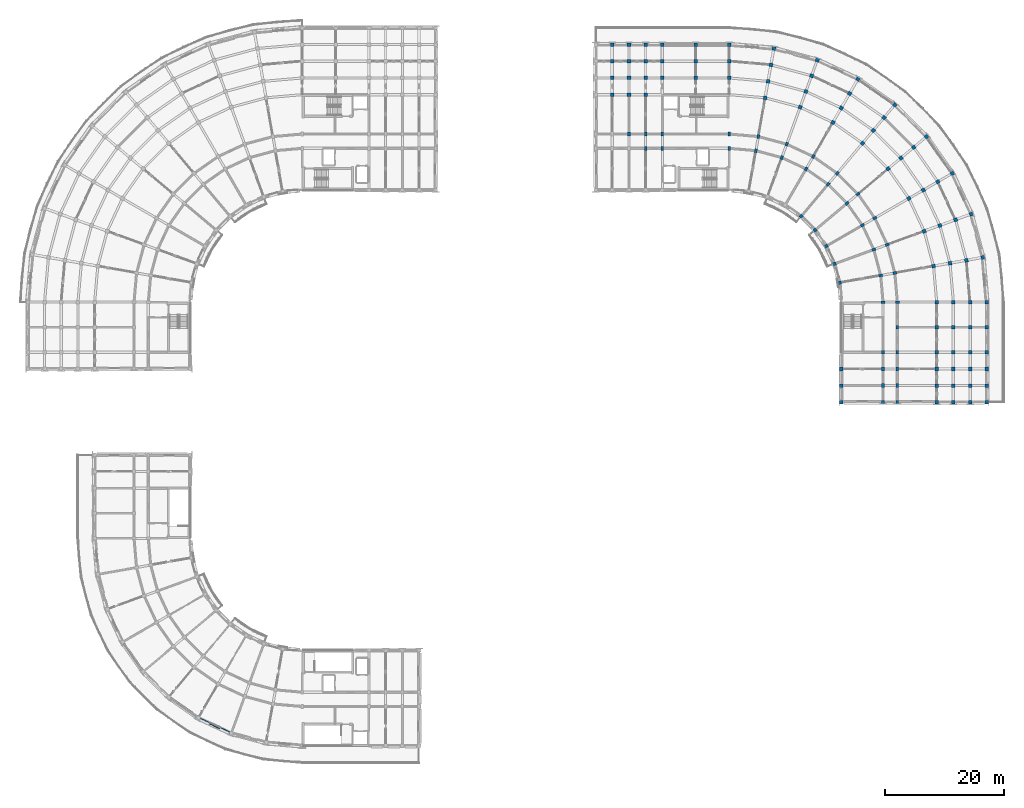
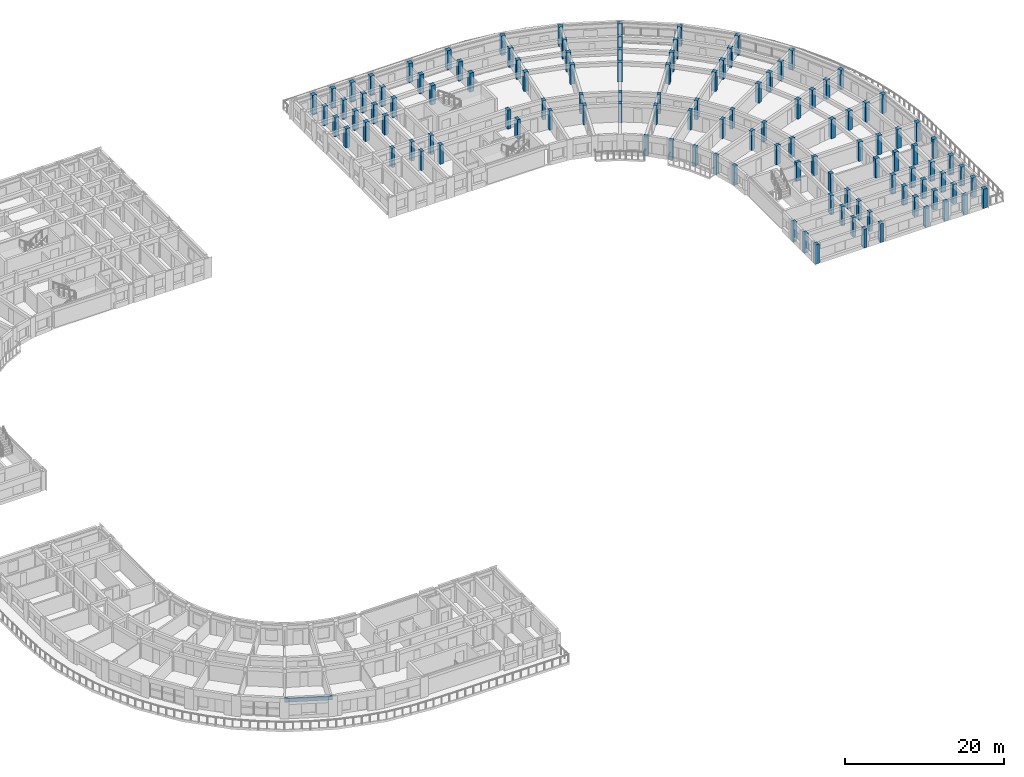
# One storey, part 2 of 53: 119 columns, 1 beam.
"""IFC4 building model written with IfcOpenShell, lengths in metres."""

from ifc_helpers import new_model, si_unit, direction, frame, origin, origin_2d, place, context, subcontext, project, spatial, rectangle, extrude, material, material_profile, profile_set, type_object, element, save


model = new_model("IFC4")

# Units and contexts
model_context = context("Model", 3, precision=1e-05, world=origin(), true_north=direction((0.0, 1.0)))
body_context = subcontext(model_context, "Body", "Model", "MODEL_VIEW")
ifc_project = project(units=[si_unit("LENGTHUNIT", "METRE"), si_unit("AREAUNIT", "SQUARE_METRE"), si_unit("VOLUMEUNIT", "CUBIC_METRE"), si_unit("PLANEANGLEUNIT", "RADIAN"), si_unit("MASSUNIT", "GRAM", prefix="KILO")], contexts=[model_context])

# Site, building, storey
site_placement = place(None, origin())
site = spatial("IfcSite", under=ifc_project, at=site_placement, CompositionType="ELEMENT")
building_placement = place(site_placement, origin())
building = spatial("IfcBuilding", under=site, at=building_placement, Name="Kiranvali Square Residences", CompositionType="ELEMENT")
storey_placement = place(building_placement, frame((0.0, 0.0, 30.75)))
storey = spatial("IfcBuildingStorey", under=building, at=storey_placement, Name="L09", CompositionType="ELEMENT", Elevation=30.75)

# Columns
ifc_material = material(Name="Concrete M40 (40 MPa)", Category="concrete")
ifc_material_profile_1 = material_profile(ifc_material, rectangle(XDim=0.550048828125, YDim=0.550048828125, at=origin_2d()), Name="RC 550x550")
ifc_profile_set_1 = profile_set([ifc_material_profile_1], Name="Concrete M40 (40 MPa)")
column_type_1 = type_object("IfcColumnType", Name="COL-M40-550", PredefinedType="COLUMN", material=ifc_profile_set_1)
for number, where, z_axis, x_axis, name in (
    (1, (131.884521484375, 102.20166015625, 0.0), (0.0, 0.0, 1.0), (-0.766044443119, 0.642787609687, 0.0), "Block B L09 radial column A04-R0"),
    (2, (134.20166015625, 99.884521484375, 0.0), (0.0, 0.0, 1.0), (-0.642787609687, 0.766044443119, 0.0), "Block B L09 radial column A05-R0"),
    (3, (136.081298828125, 97.199951171875, 0.0), (0.0, 0.0, 1.0), (-0.5, 0.866025403784, 0.0), "Block B L09 radial column A06-R0"),
    (4, (137.46630859375, 94.22998046875, 0.0), (0.0, 0.0, 1.0), (-0.342020143326, 0.939692620786, 0.0), "Block B L09 radial column A07-R0"),
    (5, (138.314453125, 91.064697265625, 0.0), (0.0, 0.0, 1.0), (-0.173648177667, 0.984807753012, 0.0), "Block B L09 radial column A08-R0"),
):
    element("IfcColumn", number, at=place(storey_placement, frame(where, z_axis=z_axis, x_axis=x_axis)), inside=storey, type_object=column_type_1, Name=name, PredefinedType="COLUMN", context=body_context, shape_type="SweptSolid", body=[
        extrude(rectangle(XDim=0.550048828125, YDim=0.550048828125, at=origin_2d()), origin(), (0.0, 0.0, 1.0), 2.929931640625),
    ])
ifc_material_profile_2 = material_profile(ifc_material, rectangle(XDim=0.60009765625, YDim=0.60009765625, at=origin_2d()), Name="RC 600x600")
ifc_profile_set_2 = profile_set([ifc_material_profile_2], Name="Concrete M40 (40 MPa)")
column_type_2 = type_object("IfcColumnType", Name="COL-M40-600", PredefinedType="COLUMN", material=ifc_profile_set_2)
for number, where, z_axis, x_axis, name in (
    (6, (119.800048828125, 125.39990234375, 0.0), (0.0, 0.0, 1.0), (1.0, 0.0, 0.0), "Block B L09 radial column A00-R4"),
    (7, (119.800048828125, 128.199951171875, 0.0), (0.0, 0.0, 1.0), (1.0, 0.0, 0.0), "Block B L09 radial column A00-R5"),
):
    element("IfcColumn", number, at=place(storey_placement, frame(where, z_axis=z_axis, x_axis=x_axis)), inside=storey, type_object=column_type_2, Name=name, PredefinedType="COLUMN", context=body_context, shape_type="SweptSolid", body=[
        extrude(rectangle(XDim=0.60009765625, YDim=0.60009765625, at=origin_2d()), origin(), (0.0, 0.0, 1.0), 2.929931640625),
    ])
column_1_placement = place(storey_placement, frame((119.800048828125, 131.0, 0.0), z_axis=(0.0, 0.0, 1.0), x_axis=(1.0, 0.0, 0.0)))
element("IfcColumn", 8, at=column_1_placement, inside=storey, type_object=column_type_2, Name="Block B L09 radial column A00-R6", PredefinedType="COLUMN", context=body_context, shape_type="SweptSolid", body=[
    extrude(rectangle(XDim=0.60009765625, YDim=0.60009765625, at=origin_2d()), origin(), (0.0, 0.0, 1.0), 2.969970703125),
])
for number, where, z_axis, x_axis, name in (
    (9, (125.843017578125, 122.0712890625, 0.0), (0.0, 0.0, 1.0), (-0.984807753012, 0.173648177667, 0.0), "Block B L09 radial column A01-R3"),
    (10, (126.3291015625, 124.828857421875, 0.0), (0.0, 0.0, 1.0), (-0.984807753012, 0.173648177667, 0.0), "Block B L09 radial column A01-R4"),
    (11, (126.8154296875, 127.586181640625, 0.0), (0.0, 0.0, 1.0), (-0.984807753012, 0.173648177667, 0.0), "Block B L09 radial column A01-R5"),
):
    element("IfcColumn", number, at=place(storey_placement, frame(where, z_axis=z_axis, x_axis=x_axis)), inside=storey, type_object=column_type_2, Name=name, PredefinedType="COLUMN", context=body_context, shape_type="SweptSolid", body=[
        extrude(rectangle(XDim=0.60009765625, YDim=0.60009765625, at=origin_2d()), origin(), (0.0, 0.0, 1.0), 2.929931640625),
    ])
column_2_placement = place(storey_placement, frame((127.301513671875, 130.34375, 0.0), z_axis=(0.0, 0.0, 1.0), x_axis=(-0.984807753012, 0.173648177667, 0.0)))
element("IfcColumn", 12, at=column_2_placement, inside=storey, type_object=column_type_2, Name="Block B L09 radial column A01-R6", PredefinedType="COLUMN", context=body_context, shape_type="SweptSolid", body=[
    extrude(rectangle(XDim=0.60009765625, YDim=0.60009765625, at=origin_2d()), origin(), (0.0, 0.0, 1.0), 2.969970703125),
])
for number, where, z_axis, x_axis, name in (
    (13, (131.702392578125, 120.501220703125, 0.0), (0.0, 0.0, 1.0), (-0.939692620786, 0.342020143326, 0.0), "Block B L09 radial column A02-R3"),
    (14, (132.659912109375, 123.13232421875, 0.0), (0.0, 0.0, 1.0), (-0.939692620786, 0.342020143326, 0.0), "Block B L09 radial column A02-R4"),
    (15, (133.61767578125, 125.763671875, 0.0), (0.0, 0.0, 1.0), (-0.939692620786, 0.342020143326, 0.0), "Block B L09 radial column A02-R5"),
):
    element("IfcColumn", number, at=place(storey_placement, frame(where, z_axis=z_axis, x_axis=x_axis)), inside=storey, type_object=column_type_2, Name=name, PredefinedType="COLUMN", context=body_context, shape_type="SweptSolid", body=[
        extrude(rectangle(XDim=0.60009765625, YDim=0.60009765625, at=origin_2d()), origin(), (0.0, 0.0, 1.0), 2.929931640625),
    ])
column_3_placement = place(storey_placement, frame((134.5751953125, 128.394775390625, 0.0), z_axis=(0.0, 0.0, 1.0), x_axis=(-0.939692620786, 0.342020143326, 0.0)))
element("IfcColumn", 16, at=column_3_placement, inside=storey, type_object=column_type_2, Name="Block B L09 radial column A02-R6", PredefinedType="COLUMN", context=body_context, shape_type="SweptSolid", body=[
    extrude(rectangle(XDim=0.60009765625, YDim=0.60009765625, at=origin_2d()), origin(), (0.0, 0.0, 1.0), 2.969970703125),
])
for number, where, z_axis, x_axis, name in (
    (17, (137.199951171875, 117.937744140625, 0.0), (0.0, 0.0, 1.0), (-0.866025403784, 0.5, 0.0), "Block B L09 radial column A03-R3"),
    (18, (138.60009765625, 120.362548828125, 0.0), (0.0, 0.0, 1.0), (-0.866025403784, 0.5, 0.0), "Block B L09 radial column A03-R4"),
    (19, (140.0, 122.787353515625, 0.0), (0.0, 0.0, 1.0), (-0.866025403784, 0.5, 0.0), "Block B L09 radial column A03-R5"),
):
    element("IfcColumn", number, at=place(storey_placement, frame(where, z_axis=z_axis, x_axis=x_axis)), inside=storey, type_object=column_type_2, Name=name, PredefinedType="COLUMN", context=body_context, shape_type="SweptSolid", body=[
        extrude(rectangle(XDim=0.60009765625, YDim=0.60009765625, at=origin_2d()), origin(), (0.0, 0.0, 1.0), 2.929931640625),
    ])
column_4_placement = place(storey_placement, frame((141.39990234375, 125.21240234375, 0.0), z_axis=(0.0, 0.0, 1.0), x_axis=(-0.866025403784, 0.5, 0.0)))
element("IfcColumn", 20, at=column_4_placement, inside=storey, type_object=column_type_2, Name="Block B L09 radial column A03-R6", PredefinedType="COLUMN", context=body_context, shape_type="SweptSolid", body=[
    extrude(rectangle(XDim=0.60009765625, YDim=0.60009765625, at=origin_2d()), origin(), (0.0, 0.0, 1.0), 2.969970703125),
])
for number, where, z_axis, x_axis, name in (
    (21, (142.1689453125, 114.458251953125, 0.0), (0.0, 0.0, 1.0), (-0.766044443119, 0.642787609687, 0.0), "Block B L09 radial column A04-R3"),
    (22, (143.96875, 116.603271484375, 0.0), (0.0, 0.0, 1.0), (-0.766044443119, 0.642787609687, 0.0), "Block B L09 radial column A04-R4"),
    (23, (145.7685546875, 118.748291015625, 0.0), (0.0, 0.0, 1.0), (-0.766044443119, 0.642787609687, 0.0), "Block B L09 radial column A04-R5"),
):
    element("IfcColumn", number, at=place(storey_placement, frame(where, z_axis=z_axis, x_axis=x_axis)), inside=storey, type_object=column_type_2, Name=name, PredefinedType="COLUMN", context=body_context, shape_type="SweptSolid", body=[
        extrude(rectangle(XDim=0.60009765625, YDim=0.60009765625, at=origin_2d()), origin(), (0.0, 0.0, 1.0), 2.929931640625),
    ])
column_5_placement = place(storey_placement, frame((147.568359375, 120.89306640625, 0.0), z_axis=(0.0, 0.0, 1.0), x_axis=(-0.766044443119, 0.642787609687, 0.0)))
element("IfcColumn", 24, at=column_5_placement, inside=storey, type_object=column_type_2, Name="Block B L09 radial column A04-R6", PredefinedType="COLUMN", context=body_context, shape_type="SweptSolid", body=[
    extrude(rectangle(XDim=0.60009765625, YDim=0.60009765625, at=origin_2d()), origin(), (0.0, 0.0, 1.0), 2.969970703125),
])
for number, where, z_axis, x_axis, name in (
    (25, (146.458251953125, 110.1689453125, 0.0), (0.0, 0.0, 1.0), (-0.642787609687, 0.766044443119, 0.0), "Block B L09 radial column A05-R3"),
    (26, (148.603271484375, 111.96875, 0.0), (0.0, 0.0, 1.0), (-0.642787609687, 0.766044443119, 0.0), "Block B L09 radial column A05-R4"),
    (27, (150.748291015625, 113.7685546875, 0.0), (0.0, 0.0, 1.0), (-0.642787609687, 0.766044443119, 0.0), "Block B L09 radial column A05-R5"),
):
    element("IfcColumn", number, at=place(storey_placement, frame(where, z_axis=z_axis, x_axis=x_axis)), inside=storey, type_object=column_type_2, Name=name, PredefinedType="COLUMN", context=body_context, shape_type="SweptSolid", body=[
        extrude(rectangle(XDim=0.60009765625, YDim=0.60009765625, at=origin_2d()), origin(), (0.0, 0.0, 1.0), 2.929931640625),
    ])
column_6_placement = place(storey_placement, frame((152.89306640625, 115.568359375, 0.0), z_axis=(0.0, 0.0, 1.0), x_axis=(-0.642787609687, 0.766044443119, 0.0)))
element("IfcColumn", 28, at=column_6_placement, inside=storey, type_object=column_type_2, Name="Block B L09 radial column A05-R6", PredefinedType="COLUMN", context=body_context, shape_type="SweptSolid", body=[
    extrude(rectangle(XDim=0.60009765625, YDim=0.60009765625, at=origin_2d()), origin(), (0.0, 0.0, 1.0), 2.969970703125),
])
for number, where, z_axis, x_axis, name in (
    (29, (149.937744140625, 105.199951171875, 0.0), (0.0, 0.0, 1.0), (-0.5, 0.866025403784, 0.0), "Block B L09 radial column A06-R3"),
    (30, (152.362548828125, 106.60009765625, 0.0), (0.0, 0.0, 1.0), (-0.5, 0.866025403784, 0.0), "Block B L09 radial column A06-R4"),
    (31, (154.787353515625, 108.0, 0.0), (0.0, 0.0, 1.0), (-0.5, 0.866025403784, 0.0), "Block B L09 radial column A06-R5"),
):
    element("IfcColumn", number, at=place(storey_placement, frame(where, z_axis=z_axis, x_axis=x_axis)), inside=storey, type_object=column_type_2, Name=name, PredefinedType="COLUMN", context=body_context, shape_type="SweptSolid", body=[
        extrude(rectangle(XDim=0.60009765625, YDim=0.60009765625, at=origin_2d()), origin(), (0.0, 0.0, 1.0), 2.929931640625),
    ])
column_7_placement = place(storey_placement, frame((157.21240234375, 109.39990234375, 0.0), z_axis=(0.0, 0.0, 1.0), x_axis=(-0.5, 0.866025403784, 0.0)))
element("IfcColumn", 32, at=column_7_placement, inside=storey, type_object=column_type_2, Name="Block B L09 radial column A06-R6", PredefinedType="COLUMN", context=body_context, shape_type="SweptSolid", body=[
    extrude(rectangle(XDim=0.60009765625, YDim=0.60009765625, at=origin_2d()), origin(), (0.0, 0.0, 1.0), 2.969970703125),
])
for number, where, z_axis, x_axis, name in (
    (33, (152.501220703125, 99.702392578125, 0.0), (0.0, 0.0, 1.0), (-0.342020143326, 0.939692620786, 0.0), "Block B L09 radial column A07-R3"),
    (34, (155.13232421875, 100.659912109375, 0.0), (0.0, 0.0, 1.0), (-0.342020143326, 0.939692620786, 0.0), "Block B L09 radial column A07-R4"),
    (35, (157.763671875, 101.61767578125, 0.0), (0.0, 0.0, 1.0), (-0.342020143326, 0.939692620786, 0.0), "Block B L09 radial column A07-R5"),
):
    element("IfcColumn", number, at=place(storey_placement, frame(where, z_axis=z_axis, x_axis=x_axis)), inside=storey, type_object=column_type_2, Name=name, PredefinedType="COLUMN", context=body_context, shape_type="SweptSolid", body=[
        extrude(rectangle(XDim=0.60009765625, YDim=0.60009765625, at=origin_2d()), origin(), (0.0, 0.0, 1.0), 2.929931640625),
    ])
column_8_placement = place(storey_placement, frame((160.394775390625, 102.5751953125, 0.0), z_axis=(0.0, 0.0, 1.0), x_axis=(-0.342020143326, 0.939692620786, 0.0)))
element("IfcColumn", 36, at=column_8_placement, inside=storey, type_object=column_type_2, Name="Block B L09 radial column A07-R6", PredefinedType="COLUMN", context=body_context, shape_type="SweptSolid", body=[
    extrude(rectangle(XDim=0.60009765625, YDim=0.60009765625, at=origin_2d()), origin(), (0.0, 0.0, 1.0), 2.969970703125),
])
for number, where, z_axis, x_axis, name in (
    (37, (154.0712890625, 93.843017578125, 0.0), (0.0, 0.0, 1.0), (-0.173648177667, 0.984807753012, 0.0), "Block B L09 radial column A08-R3"),
    (38, (156.828857421875, 94.3291015625, 0.0), (0.0, 0.0, 1.0), (-0.173648177667, 0.984807753012, 0.0), "Block B L09 radial column A08-R4"),
    (39, (159.586181640625, 94.8154296875, 0.0), (0.0, 0.0, 1.0), (-0.173648177667, 0.984807753012, 0.0), "Block B L09 radial column A08-R5"),
):
    element("IfcColumn", number, at=place(storey_placement, frame(where, z_axis=z_axis, x_axis=x_axis)), inside=storey, type_object=column_type_2, Name=name, PredefinedType="COLUMN", context=body_context, shape_type="SweptSolid", body=[
        extrude(rectangle(XDim=0.60009765625, YDim=0.60009765625, at=origin_2d()), origin(), (0.0, 0.0, 1.0), 2.929931640625),
    ])
column_9_placement = place(storey_placement, frame((162.34375, 95.301513671875, 0.0), z_axis=(0.0, 0.0, 1.0), x_axis=(-0.173648177667, 0.984807753012, 0.0)))
element("IfcColumn", 40, at=column_9_placement, inside=storey, type_object=column_type_2, Name="Block B L09 radial column A08-R6", PredefinedType="COLUMN", context=body_context, shape_type="SweptSolid", body=[
    extrude(rectangle(XDim=0.60009765625, YDim=0.60009765625, at=origin_2d()), origin(), (0.0, 0.0, 1.0), 2.969970703125),
])
for number, where, z_axis, x_axis, name in (
    (41, (154.60009765625, 87.800048828125, 0.0), (0.0, 0.0, 1.0), (0.0, 1.0, 0.0), "Block B L09 radial column A09-R3"),
    (42, (157.39990234375, 87.800048828125, 0.0), (0.0, 0.0, 1.0), (0.0, 1.0, 0.0), "Block B L09 radial column A09-R4"),
    (43, (160.199951171875, 87.800048828125, 0.0), (0.0, 0.0, 1.0), (0.0, 1.0, 0.0), "Block B L09 radial column A09-R5"),
):
    element("IfcColumn", number, at=place(storey_placement, frame(where, z_axis=z_axis, x_axis=x_axis)), inside=storey, type_object=column_type_2, Name=name, PredefinedType="COLUMN", context=body_context, shape_type="SweptSolid", body=[
        extrude(rectangle(XDim=0.60009765625, YDim=0.60009765625, at=origin_2d()), origin(), (0.0, 0.0, 1.0), 2.929931640625),
    ])
column_10_placement = place(storey_placement, frame((163.0, 87.800048828125, 0.0), z_axis=(0.0, 0.0, 1.0), x_axis=(0.0, 1.0, 0.0)))
element("IfcColumn", 44, at=column_10_placement, inside=storey, type_object=column_type_2, Name="Block B L09 radial column A09-R6", PredefinedType="COLUMN", context=body_context, shape_type="SweptSolid", body=[
    extrude(rectangle(XDim=0.60009765625, YDim=0.60009765625, at=origin_2d()), origin(), (0.0, 0.0, 1.0), 2.969970703125),
])
for number, where, z_axis, x_axis, name in (
    (45, (114.199951171875, 125.39990234375, 0.0), (0.0, 0.0, 1.0), (1.0, 0.0, 0.0), "Block B L09 core-front column U0-R4"),
    (46, (114.199951171875, 128.199951171875, 0.0), (0.0, 0.0, 1.0), (1.0, 0.0, 0.0), "Block B L09 core-front column U0-R5"),
):
    element("IfcColumn", number, at=place(storey_placement, frame(where, z_axis=z_axis, x_axis=x_axis)), inside=storey, type_object=column_type_2, Name=name, PredefinedType="COLUMN", context=body_context, shape_type="SweptSolid", body=[
        extrude(rectangle(XDim=0.60009765625, YDim=0.60009765625, at=origin_2d()), origin(), (0.0, 0.0, 1.0), 2.929931640625),
    ])
column_11_placement = place(storey_placement, frame((114.199951171875, 131.0, 0.0), z_axis=(0.0, 0.0, 1.0), x_axis=(1.0, 0.0, 0.0)))
element("IfcColumn", 47, at=column_11_placement, inside=storey, type_object=column_type_2, Name="Block B L09 core-front column U0-R6", PredefinedType="COLUMN", context=body_context, shape_type="SweptSolid", body=[
    extrude(rectangle(XDim=0.60009765625, YDim=0.60009765625, at=origin_2d()), origin(), (0.0, 0.0, 1.0), 2.969970703125),
])
for number, where, z_axis, x_axis, name in (
    (48, (108.60009765625, 125.39990234375, 0.0), (0.0, 0.0, 1.0), (1.0, 0.0, 0.0), "Block B L09 Arm 1 column U1-R4"),
    (49, (108.60009765625, 128.199951171875, 0.0), (0.0, 0.0, 1.0), (1.0, 0.0, 0.0), "Block B L09 Arm 1 column U1-R5"),
):
    element("IfcColumn", number, at=place(storey_placement, frame(where, z_axis=z_axis, x_axis=x_axis)), inside=storey, type_object=column_type_2, Name=name, PredefinedType="COLUMN", context=body_context, shape_type="SweptSolid", body=[
        extrude(rectangle(XDim=0.60009765625, YDim=0.60009765625, at=origin_2d()), origin(), (0.0, 0.0, 1.0), 2.929931640625),
    ])
column_12_placement = place(storey_placement, frame((108.60009765625, 131.0, 0.0), z_axis=(0.0, 0.0, 1.0), x_axis=(1.0, 0.0, 0.0)))
element("IfcColumn", 50, at=column_12_placement, inside=storey, type_object=column_type_2, Name="Block B L09 Arm 1 column U1-R6", PredefinedType="COLUMN", context=body_context, shape_type="SweptSolid", body=[
    extrude(rectangle(XDim=0.60009765625, YDim=0.60009765625, at=origin_2d()), origin(), (0.0, 0.0, 1.0), 2.969970703125),
])
for number, where, z_axis, x_axis, name in (
    (51, (105.800048828125, 122.60009765625, 0.0), (0.0, 0.0, 1.0), (1.0, 0.0, 0.0), "Block B L09 Arm 1 column U2-R3"),
    (52, (105.800048828125, 125.39990234375, 0.0), (0.0, 0.0, 1.0), (1.0, 0.0, 0.0), "Block B L09 Arm 1 column U2-R4"),
    (53, (105.800048828125, 128.199951171875, 0.0), (0.0, 0.0, 1.0), (1.0, 0.0, 0.0), "Block B L09 Arm 1 column U2-R5"),
):
    element("IfcColumn", number, at=place(storey_placement, frame(where, z_axis=z_axis, x_axis=x_axis)), inside=storey, type_object=column_type_2, Name=name, PredefinedType="COLUMN", context=body_context, shape_type="SweptSolid", body=[
        extrude(rectangle(XDim=0.60009765625, YDim=0.60009765625, at=origin_2d()), origin(), (0.0, 0.0, 1.0), 2.929931640625),
    ])
column_13_placement = place(storey_placement, frame((105.800048828125, 131.0, 0.0), z_axis=(0.0, 0.0, 1.0), x_axis=(1.0, 0.0, 0.0)))
element("IfcColumn", 54, at=column_13_placement, inside=storey, type_object=column_type_2, Name="Block B L09 Arm 1 column U2-R6", PredefinedType="COLUMN", context=body_context, shape_type="SweptSolid", body=[
    extrude(rectangle(XDim=0.60009765625, YDim=0.60009765625, at=origin_2d()), origin(), (0.0, 0.0, 1.0), 2.969970703125),
])
for number, where, z_axis, x_axis, name in (
    (55, (103.0, 122.60009765625, 0.0), (0.0, 0.0, 1.0), (1.0, 0.0, 0.0), "Block B L09 Arm 1 column U3-R3"),
    (56, (103.0, 125.39990234375, 0.0), (0.0, 0.0, 1.0), (1.0, 0.0, 0.0), "Block B L09 Arm 1 column U3-R4"),
    (57, (103.0, 128.199951171875, 0.0), (0.0, 0.0, 1.0), (1.0, 0.0, 0.0), "Block B L09 Arm 1 column U3-R5"),
):
    element("IfcColumn", number, at=place(storey_placement, frame(where, z_axis=z_axis, x_axis=x_axis)), inside=storey, type_object=column_type_2, Name=name, PredefinedType="COLUMN", context=body_context, shape_type="SweptSolid", body=[
        extrude(rectangle(XDim=0.60009765625, YDim=0.60009765625, at=origin_2d()), origin(), (0.0, 0.0, 1.0), 2.929931640625),
    ])
column_14_placement = place(storey_placement, frame((103.0, 131.0, 0.0), z_axis=(0.0, 0.0, 1.0), x_axis=(1.0, 0.0, 0.0)))
element("IfcColumn", 58, at=column_14_placement, inside=storey, type_object=column_type_2, Name="Block B L09 Arm 1 column U3-R6", PredefinedType="COLUMN", context=body_context, shape_type="SweptSolid", body=[
    extrude(rectangle(XDim=0.60009765625, YDim=0.60009765625, at=origin_2d()), origin(), (0.0, 0.0, 1.0), 2.969970703125),
])
for number, where, z_axis, x_axis, name in (
    (59, (100.199951171875, 122.60009765625, 0.0), (0.0, 0.0, 1.0), (1.0, 0.0, 0.0), "Block B L09 Arm 1 column U4-R3"),
    (60, (100.199951171875, 125.39990234375, 0.0), (0.0, 0.0, 1.0), (1.0, 0.0, 0.0), "Block B L09 Arm 1 column U4-R4"),
    (61, (100.199951171875, 128.199951171875, 0.0), (0.0, 0.0, 1.0), (1.0, 0.0, 0.0), "Block B L09 Arm 1 column U4-R5"),
):
    element("IfcColumn", number, at=place(storey_placement, frame(where, z_axis=z_axis, x_axis=x_axis)), inside=storey, type_object=column_type_2, Name=name, PredefinedType="COLUMN", context=body_context, shape_type="SweptSolid", body=[
        extrude(rectangle(XDim=0.60009765625, YDim=0.60009765625, at=origin_2d()), origin(), (0.0, 0.0, 1.0), 2.929931640625),
    ])
column_15_placement = place(storey_placement, frame((100.199951171875, 131.0, 0.0), z_axis=(0.0, 0.0, 1.0), x_axis=(1.0, 0.0, 0.0)))
element("IfcColumn", 62, at=column_15_placement, inside=storey, type_object=column_type_2, Name="Block B L09 Arm 1 column U4-R6", PredefinedType="COLUMN", context=body_context, shape_type="SweptSolid", body=[
    extrude(rectangle(XDim=0.60009765625, YDim=0.60009765625, at=origin_2d()), origin(), (0.0, 0.0, 1.0), 2.969970703125),
])
for number, where, z_axis, x_axis, name in (
    (63, (154.60009765625, 83.60009765625, 0.0), (0.0, 0.0, 1.0), (1.0, 0.0, 0.0), "Block B L09 Arm 2 mid-core column V0-R3"),
    (64, (157.39990234375, 83.60009765625, 0.0), (0.0, 0.0, 1.0), (1.0, 0.0, 0.0), "Block B L09 Arm 2 mid-core column V0-R4"),
    (65, (160.199951171875, 83.60009765625, 0.0), (0.0, 0.0, 1.0), (1.0, 0.0, 0.0), "Block B L09 Arm 2 mid-core column V0-R5"),
):
    element("IfcColumn", number, at=place(storey_placement, frame(where, z_axis=z_axis, x_axis=x_axis)), inside=storey, type_object=column_type_2, Name=name, PredefinedType="COLUMN", context=body_context, shape_type="SweptSolid", body=[
        extrude(rectangle(XDim=0.60009765625, YDim=0.60009765625, at=origin_2d()), origin(), (0.0, 0.0, 1.0), 2.929931640625),
    ])
column_16_placement = place(storey_placement, frame((163.0, 83.60009765625, 0.0), z_axis=(0.0, 0.0, 1.0), x_axis=(1.0, 0.0, 0.0)))
element("IfcColumn", 66, at=column_16_placement, inside=storey, type_object=column_type_2, Name="Block B L09 Arm 2 mid-core column V0-R6", PredefinedType="COLUMN", context=body_context, shape_type="SweptSolid", body=[
    extrude(rectangle(XDim=0.60009765625, YDim=0.60009765625, at=origin_2d()), origin(), (0.0, 0.0, 1.0), 2.969970703125),
])
for number, where, z_axis, x_axis, name in (
    (67, (154.60009765625, 79.39990234375, 0.0), (0.0, 0.0, 1.0), (1.0, 0.0, 0.0), "Block B L09 Arm 2 column V1-R3"),
    (68, (157.39990234375, 79.39990234375, 0.0), (0.0, 0.0, 1.0), (1.0, 0.0, 0.0), "Block B L09 Arm 2 column V1-R4"),
    (69, (160.199951171875, 79.39990234375, 0.0), (0.0, 0.0, 1.0), (1.0, 0.0, 0.0), "Block B L09 Arm 2 column V1-R5"),
):
    element("IfcColumn", number, at=place(storey_placement, frame(where, z_axis=z_axis, x_axis=x_axis)), inside=storey, type_object=column_type_2, Name=name, PredefinedType="COLUMN", context=body_context, shape_type="SweptSolid", body=[
        extrude(rectangle(XDim=0.60009765625, YDim=0.60009765625, at=origin_2d()), origin(), (0.0, 0.0, 1.0), 2.929931640625),
    ])
column_17_placement = place(storey_placement, frame((163.0, 79.39990234375, 0.0), z_axis=(0.0, 0.0, 1.0), x_axis=(1.0, 0.0, 0.0)))
element("IfcColumn", 70, at=column_17_placement, inside=storey, type_object=column_type_2, Name="Block B L09 Arm 2 column V1-R6", PredefinedType="COLUMN", context=body_context, shape_type="SweptSolid", body=[
    extrude(rectangle(XDim=0.60009765625, YDim=0.60009765625, at=origin_2d()), origin(), (0.0, 0.0, 1.0), 2.969970703125),
])
for number, where, z_axis, x_axis, name in (
    (71, (138.60009765625, 76.60009765625, 0.0), (0.0, 0.0, 1.0), (1.0, 0.0, 0.0), "Block B L09 Arm 2 column V2-R0"),
    (72, (154.60009765625, 76.60009765625, 0.0), (0.0, 0.0, 1.0), (1.0, 0.0, 0.0), "Block B L09 Arm 2 column V2-R3"),
    (73, (157.39990234375, 76.60009765625, 0.0), (0.0, 0.0, 1.0), (1.0, 0.0, 0.0), "Block B L09 Arm 2 column V2-R4"),
    (74, (160.199951171875, 76.60009765625, 0.0), (0.0, 0.0, 1.0), (1.0, 0.0, 0.0), "Block B L09 Arm 2 column V2-R5"),
):
    element("IfcColumn", number, at=place(storey_placement, frame(where, z_axis=z_axis, x_axis=x_axis)), inside=storey, type_object=column_type_2, Name=name, PredefinedType="COLUMN", context=body_context, shape_type="SweptSolid", body=[
        extrude(rectangle(XDim=0.60009765625, YDim=0.60009765625, at=origin_2d()), origin(), (0.0, 0.0, 1.0), 2.929931640625),
    ])
column_18_placement = place(storey_placement, frame((163.0, 76.60009765625, 0.0), z_axis=(0.0, 0.0, 1.0), x_axis=(1.0, 0.0, 0.0)))
element("IfcColumn", 75, at=column_18_placement, inside=storey, type_object=column_type_2, Name="Block B L09 Arm 2 column V2-R6", PredefinedType="COLUMN", context=body_context, shape_type="SweptSolid", body=[
    extrude(rectangle(XDim=0.60009765625, YDim=0.60009765625, at=origin_2d()), origin(), (0.0, 0.0, 1.0), 2.969970703125),
])
for number, where, z_axis, x_axis, name in (
    (76, (138.60009765625, 73.800048828125, 0.0), (0.0, 0.0, 1.0), (1.0, 0.0, 0.0), "Block B L09 Arm 2 column V3-R0"),
    (77, (154.60009765625, 73.800048828125, 0.0), (0.0, 0.0, 1.0), (1.0, 0.0, 0.0), "Block B L09 Arm 2 column V3-R3"),
    (78, (157.39990234375, 73.800048828125, 0.0), (0.0, 0.0, 1.0), (1.0, 0.0, 0.0), "Block B L09 Arm 2 column V3-R4"),
    (79, (160.199951171875, 73.800048828125, 0.0), (0.0, 0.0, 1.0), (1.0, 0.0, 0.0), "Block B L09 Arm 2 column V3-R5"),
):
    element("IfcColumn", number, at=place(storey_placement, frame(where, z_axis=z_axis, x_axis=x_axis)), inside=storey, type_object=column_type_2, Name=name, PredefinedType="COLUMN", context=body_context, shape_type="SweptSolid", body=[
        extrude(rectangle(XDim=0.60009765625, YDim=0.60009765625, at=origin_2d()), origin(), (0.0, 0.0, 1.0), 2.929931640625),
    ])
column_19_placement = place(storey_placement, frame((163.0, 73.800048828125, 0.0), z_axis=(0.0, 0.0, 1.0), x_axis=(1.0, 0.0, 0.0)))
element("IfcColumn", 80, at=column_19_placement, inside=storey, type_object=column_type_2, Name="Block B L09 Arm 2 column V3-R6", PredefinedType="COLUMN", context=body_context, shape_type="SweptSolid", body=[
    extrude(rectangle(XDim=0.60009765625, YDim=0.60009765625, at=origin_2d()), origin(), (0.0, 0.0, 1.0), 2.969970703125),
])
for number, where, z_axis, x_axis, name in (
    (81, (138.60009765625, 71.0, 0.0), (0.0, 0.0, 1.0), (1.0, 0.0, 0.0), "Block B L09 Arm 2 column V4-R0"),
    (82, (154.60009765625, 71.0, 0.0), (0.0, 0.0, 1.0), (1.0, 0.0, 0.0), "Block B L09 Arm 2 column V4-R3"),
    (83, (157.39990234375, 71.0, 0.0), (0.0, 0.0, 1.0), (1.0, 0.0, 0.0), "Block B L09 Arm 2 column V4-R4"),
    (84, (160.199951171875, 71.0, 0.0), (0.0, 0.0, 1.0), (1.0, 0.0, 0.0), "Block B L09 Arm 2 column V4-R5"),
):
    element("IfcColumn", number, at=place(storey_placement, frame(where, z_axis=z_axis, x_axis=x_axis)), inside=storey, type_object=column_type_2, Name=name, PredefinedType="COLUMN", context=body_context, shape_type="SweptSolid", body=[
        extrude(rectangle(XDim=0.60009765625, YDim=0.60009765625, at=origin_2d()), origin(), (0.0, 0.0, 1.0), 2.929931640625),
    ])
column_20_placement = place(storey_placement, frame((163.0, 71.0, 0.0), z_axis=(0.0, 0.0, 1.0), x_axis=(1.0, 0.0, 0.0)))
element("IfcColumn", 85, at=column_20_placement, inside=storey, type_object=column_type_2, Name="Block B L09 Arm 2 column V4-R6", PredefinedType="COLUMN", context=body_context, shape_type="SweptSolid", body=[
    extrude(rectangle(XDim=0.60009765625, YDim=0.60009765625, at=origin_2d()), origin(), (0.0, 0.0, 1.0), 2.969970703125),
])
ifc_material_profile_3 = material_profile(ifc_material, rectangle(XDim=0.449951171875, YDim=0.64990234375, at=origin_2d()), Name="RC 650x450")
ifc_profile_set_3 = profile_set([ifc_material_profile_3], Name="Concrete M40 (40 MPa)")
column_type_3 = type_object("IfcColumnType", Name="COL-M40-650x450", PredefinedType="COLUMN", material=ifc_profile_set_3)
for number, where, z_axis, x_axis, name in (
    (86, (119.800048828125, 113.60009765625, 0.0), (0.0, 0.0, 1.0), (1.0, 0.0, 0.0), "Block B L09 radial column A00-R1"),
    (87, (119.800048828125, 116.0, 0.0), (0.0, 0.0, 1.0), (1.0, 0.0, 0.0), "Block B L09 radial column A00-R2"),
    (88, (124.280029296875, 113.2080078125, 0.0), (0.0, 0.0, 1.0), (-0.984807753012, 0.173648177667, 0.0), "Block B L09 radial column A01-R1"),
    (89, (124.69677734375, 115.571533203125, 0.0), (0.0, 0.0, 1.0), (-0.984807753012, 0.173648177667, 0.0), "Block B L09 radial column A01-R2"),
    (90, (128.6240234375, 112.044189453125, 0.0), (0.0, 0.0, 1.0), (-0.939692620786, 0.342020143326, 0.0), "Block B L09 radial column A02-R1"),
    (91, (129.445068359375, 114.29931640625, 0.0), (0.0, 0.0, 1.0), (-0.939692620786, 0.342020143326, 0.0), "Block B L09 radial column A02-R2"),
    (92, (132.699951171875, 110.1435546875, 0.0), (0.0, 0.0, 1.0), (-0.866025403784, 0.5, 0.0), "Block B L09 radial column A03-R1"),
    (93, (133.89990234375, 112.221923828125, 0.0), (0.0, 0.0, 1.0), (-0.866025403784, 0.5, 0.0), "Block B L09 radial column A03-R2"),
    (94, (136.384033203125, 107.56396484375, 0.0), (0.0, 0.0, 1.0), (-0.766044443119, 0.642787609687, 0.0), "Block B L09 radial column A04-R1"),
    (95, (137.926513671875, 109.40234375, 0.0), (0.0, 0.0, 1.0), (-0.766044443119, 0.642787609687, 0.0), "Block B L09 radial column A04-R2"),
    (96, (139.56396484375, 104.384033203125, 0.0), (0.0, 0.0, 1.0), (-0.642787609687, 0.766044443119, 0.0), "Block B L09 radial column A05-R1"),
    (97, (141.40234375, 105.926513671875, 0.0), (0.0, 0.0, 1.0), (-0.642787609687, 0.766044443119, 0.0), "Block B L09 radial column A05-R2"),
    (98, (142.1435546875, 100.699951171875, 0.0), (0.0, 0.0, 1.0), (-0.5, 0.866025403784, 0.0), "Block B L09 radial column A06-R1"),
    (99, (144.221923828125, 101.89990234375, 0.0), (0.0, 0.0, 1.0), (-0.5, 0.866025403784, 0.0), "Block B L09 radial column A06-R2"),
    (100, (144.044189453125, 96.6240234375, 0.0), (0.0, 0.0, 1.0), (-0.342020143326, 0.939692620786, 0.0), "Block B L09 radial column A07-R1"),
    (101, (146.29931640625, 97.445068359375, 0.0), (0.0, 0.0, 1.0), (-0.342020143326, 0.939692620786, 0.0), "Block B L09 radial column A07-R2"),
    (102, (145.2080078125, 92.280029296875, 0.0), (0.0, 0.0, 1.0), (-0.173648177667, 0.984807753012, 0.0), "Block B L09 radial column A08-R1"),
    (103, (147.571533203125, 92.69677734375, 0.0), (0.0, 0.0, 1.0), (-0.173648177667, 0.984807753012, 0.0), "Block B L09 radial column A08-R2"),
    (104, (145.60009765625, 87.800048828125, 0.0), (0.0, 0.0, 1.0), (0.0, 1.0, 0.0), "Block B L09 radial column A09-R1"),
    (105, (148.0, 87.800048828125, 0.0), (0.0, 0.0, 1.0), (0.0, 1.0, 0.0), "Block B L09 radial column A09-R2"),
    (106, (108.60009765625, 113.60009765625, 0.0), (0.0, 0.0, 1.0), (1.0, 0.0, 0.0), "Block B L09 Arm 1 column U1-R1"),
    (107, (108.60009765625, 116.0, 0.0), (0.0, 0.0, 1.0), (1.0, 0.0, 0.0), "Block B L09 Arm 1 column U1-R2"),
    (108, (105.800048828125, 113.60009765625, 0.0), (0.0, 0.0, 1.0), (1.0, 0.0, 0.0), "Block B L09 Arm 1 column U2-R1"),
    (109, (105.800048828125, 116.0, 0.0), (0.0, 0.0, 1.0), (1.0, 0.0, 0.0), "Block B L09 Arm 1 column U2-R2"),
    (110, (103.0, 116.0, 0.0), (0.0, 0.0, 1.0), (1.0, 0.0, 0.0), "Block B L09 Arm 1 column U3-R2"),
    (111, (148.0, 83.60009765625, 0.0), (0.0, 0.0, 1.0), (1.0, 0.0, 0.0), "Block B L09 Arm 2 mid-core column V0-R2"),
    (112, (145.60009765625, 79.39990234375, 0.0), (0.0, 0.0, 1.0), (1.0, 0.0, 0.0), "Block B L09 Arm 2 column V1-R1"),
    (113, (148.0, 79.39990234375, 0.0), (0.0, 0.0, 1.0), (1.0, 0.0, 0.0), "Block B L09 Arm 2 column V1-R2"),
    (114, (145.60009765625, 76.60009765625, 0.0), (0.0, 0.0, 1.0), (1.0, 0.0, 0.0), "Block B L09 Arm 2 column V2-R1"),
    (115, (148.0, 76.60009765625, 0.0), (0.0, 0.0, 1.0), (1.0, 0.0, 0.0), "Block B L09 Arm 2 column V2-R2"),
    (116, (145.60009765625, 73.800048828125, 0.0), (0.0, 0.0, 1.0), (1.0, 0.0, 0.0), "Block B L09 Arm 2 column V3-R1"),
    (117, (148.0, 73.800048828125, 0.0), (0.0, 0.0, 1.0), (1.0, 0.0, 0.0), "Block B L09 Arm 2 column V3-R2"),
    (118, (145.60009765625, 71.0, 0.0), (0.0, 0.0, 1.0), (1.0, 0.0, 0.0), "Block B L09 Arm 2 column V4-R1"),
    (119, (148.0, 71.0, 0.0), (0.0, 0.0, 1.0), (1.0, 0.0, 0.0), "Block B L09 Arm 2 column V4-R2"),
):
    element("IfcColumn", number, at=place(storey_placement, frame(where, z_axis=z_axis, x_axis=x_axis)), inside=storey, type_object=column_type_3, Name=name, PredefinedType="COLUMN", context=body_context, shape_type="SweptSolid", body=[
        extrude(rectangle(XDim=0.449951171875, YDim=0.64990234375, at=origin_2d()), origin(), (0.0, 0.0, 1.0), 2.929931640625),
    ])

# Beam
ifc_material_profile_4 = material_profile(ifc_material, rectangle(XDim=0.25, YDim=0.550048828125, at=origin_2d()), Name="RC 250x550")
ifc_profile_set_4 = profile_set([ifc_material_profile_4], Name="Concrete M40 (40 MPa)")
beam_type = type_object("IfcBeamType", Name="SPN-M40-250x550", PredefinedType="SPANDREL", material=ifc_profile_set_4)
beam_placement = place(storey_placement, frame((36.297607421875, 15.498779296875, 2.635009765625), z_axis=(-0.906312656069, 0.42260781991, 0.0), x_axis=(-0.42260781991, -0.906312656069, 0.0)))
element("IfcBeam", 120, at=beam_placement, inside=storey, type_object=beam_type, Name="L09 beam BM-C-L09-C02-R3", PredefinedType="SPANDREL", context=body_context, shape_type="SweptSolid", body=[
    extrude(rectangle(XDim=0.25, YDim=0.550048828125, at=origin_2d()), origin(), (0.0, 0.0, 1.0), 6.06591796875),
])

save(model, "model.ifc")
